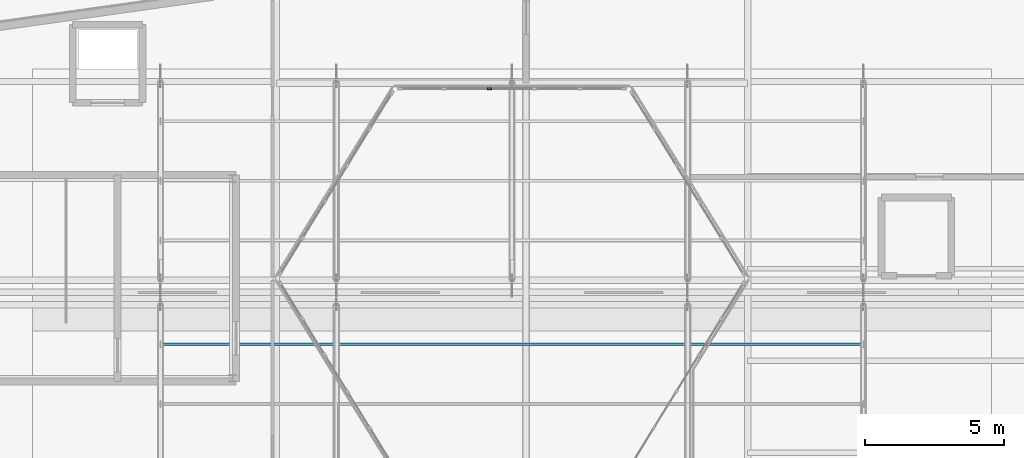
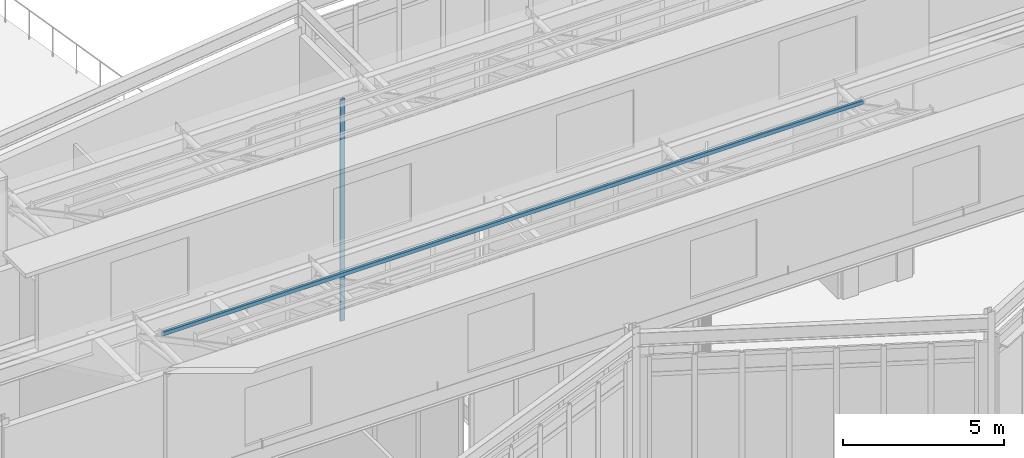
# One storey, part 25 of 66: 1 beam, 1 member, 1 element without a shape of its own.
"""IFC4 building model written with IfcOpenShell, lengths in metres."""

from ifc_helpers import new_model, si_unit, direction, frame, origin, origin_2d, place, context, subcontext, project, spatial, rectangle, hollow_rectangle, extrude, material, material_profile, profile_set, type_object, element, aggregate, save


model = new_model("IFC4")

# Units and contexts
model_context = context("Model", 3, precision=1e-05, world=origin(), true_north=direction((0.0, 1.0)))
body_context = subcontext(model_context, "Body", "Model", "MODEL_VIEW")
ifc_project = project(units=[si_unit("LENGTHUNIT", "METRE"), si_unit("AREAUNIT", "SQUARE_METRE"), si_unit("VOLUMEUNIT", "CUBIC_METRE"), si_unit("PLANEANGLEUNIT", "RADIAN"), si_unit("MASSUNIT", "GRAM", prefix="KILO")], contexts=[model_context])

# Site, building, storey
site_placement = place(None, origin())
site = spatial("IfcSite", under=ifc_project, at=site_placement, CompositionType="ELEMENT")
building_placement = place(site_placement, origin())
building = spatial("IfcBuilding", under=site, at=building_placement, Name="Tameran Prism Museum", CompositionType="ELEMENT")
storey_placement = place(building_placement, frame((0.0, 0.0, 19.800048828125)))
storey = spatial("IfcBuildingStorey", under=building, at=storey_placement, Name="L04", CompositionType="ELEMENT", Elevation=19.800048828125)

# Beam
ifc_material_1 = material(Name="Steel Grade C350L0 (350 MPa)", Category="steel")
ifc_material_profile_1 = material_profile(ifc_material_1, hollow_rectangle(XDim=0.10009765625, YDim=0.14990234375, WallThickness=0.006103515625, InnerFilletRadius=0.009033203125, OuterFilletRadius=0.014892578125, at=origin_2d()))
ifc_profile_set_1 = profile_set([ifc_material_profile_1])
beam_type = type_object("IfcBeamType", Name="BM-PUR150", PredefinedType="USERDEFINED", material=ifc_profile_set_1)
beam_placement = place(storey_placement, frame((64.39990234375, 34.135986328125, 9.176025390625), z_axis=(1.0, 0.0, 0.0), x_axis=(0.0, 1.0, 0.0)))
element("IfcBeam", 1, at=beam_placement, inside=storey, type_object=beam_type, Name="Sawtooth Purlin PR-033", ObjectType="PURLIN", PredefinedType="USERDEFINED", context=body_context, shape_type="SweptSolid", body=[
    extrude(hollow_rectangle(XDim=0.10009765625, YDim=0.14990234375, WallThickness=0.006103515625, InnerFilletRadius=0.009033203125, OuterFilletRadius=0.014892578125, at=origin_2d()), origin(), (0.0, 0.0, 1.0), 25.2001953125),
])

# Curtain wall, member
ifc_material_2 = material(Name="Anodised Aluminium 6063-T6 and Cyclone Solar Glass", Category="aluminium")
curtain_wall_type = type_object("IfcCurtainWallType", Name="CW-ATR-810x844", PredefinedType="USERDEFINED", material=ifc_material_2)
curtain_wall_placement = place(storey_placement, origin())
curtain_wall = element("IfcCurtainWall", 2, at=curtain_wall_placement, inside=storey, type_object=curtain_wall_type, Name="Unitised Curtain Wall CW-019", ObjectType="UNITISED CURTAIN WALL", PredefinedType="USERDEFINED")
ifc_material_3 = material(Name="Anodised Aluminium Alloy 6063-T6", Category="aluminium")
ifc_material_profile_2 = material_profile(ifc_material_3, rectangle(XDim=0.06494140625, YDim=0.159912109375, at=origin_2d()))
ifc_profile_set_2 = profile_set([ifc_material_profile_2])
member_type = type_object("IfcMemberType", Name="CW-MUL-A", PredefinedType="MULLION", material=ifc_profile_set_2)
member_placement = place(storey_placement, frame((76.18994140625, 43.300048828125, 0.0), z_axis=(0.0, 0.0, 1.0), x_axis=(0.0, -1.0, 0.0)))
member = element("IfcMember", 3, at=member_placement, type_object=member_type, Name="CW-019 mullion 4", PredefinedType="MULLION", context=body_context, shape_type="SweptSolid", body=[
    extrude(rectangle(XDim=0.06494140625, YDim=0.159912109375, at=origin_2d()), origin(), (0.0, 0.0, 1.0), 8.43994140625),
])
aggregate(curtain_wall, [member])

save(model, "model.ifc")
